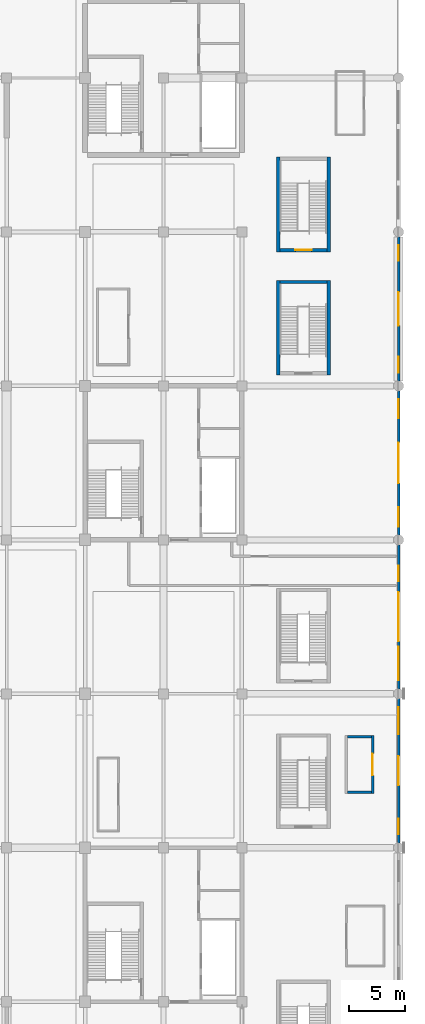
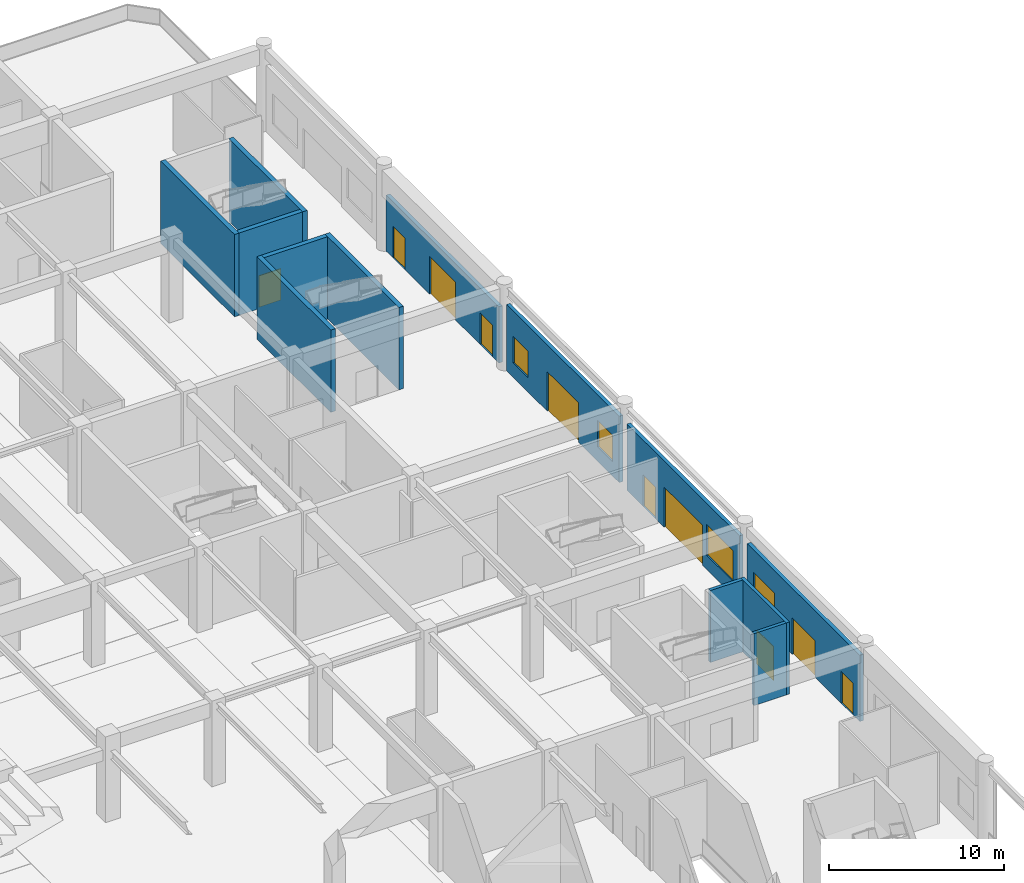
# One storey, part 46 of 73: 13 walls, 10 doors, 4 windows, 14 openings.
"""IFC4 building model written with IfcOpenShell, lengths in metres."""

from ifc_helpers import new_model, si_unit, direction, frame, frame_2d, origin, place, context, subcontext, project, spatial, rectangle, extrude, material, layer, layer_set, type_object, element, fill, save


model = new_model("IFC4")

# Units and contexts
model_context = context("Model", 3, precision=1e-05, world=origin(), true_north=direction((0.0, 1.0)))
body_context = subcontext(model_context, "Body", "Model", "MODEL_VIEW")
ifc_project = project(units=[si_unit("LENGTHUNIT", "METRE"), si_unit("AREAUNIT", "SQUARE_METRE"), si_unit("VOLUMEUNIT", "CUBIC_METRE"), si_unit("PLANEANGLEUNIT", "RADIAN"), si_unit("MASSUNIT", "GRAM", prefix="KILO")], contexts=[model_context])

# Site, building, storey
site_placement = place(None, origin())
site = spatial("IfcSite", under=ifc_project, at=site_placement, CompositionType="ELEMENT")
building_placement = place(site_placement, origin())
building = spatial("IfcBuilding", under=site, at=building_placement, Name="Linyun Crest Stadium", CompositionType="ELEMENT")
storey_placement = place(building_placement, origin())
storey = spatial("IfcBuildingStorey", under=building, at=storey_placement, Name="L01", CompositionType="ELEMENT", Elevation=0.0)

# Wall, openings, doors, window
ifc_material_1 = material(Name="Precast concrete C40 architectural ribbed panel", Category="concrete")
ifc_layer_1 = layer(ifc_material_1, 0.239990234375)
ifc_layer_set_1 = layer_set([ifc_layer_1], Name="Precast concrete C40 architectural ribbed panel")
wall_type_1 = type_object("IfcWallType", Name="EW01", PredefinedType="SOLIDWALL", material=ifc_layer_set_1)
wall_1_placement = place(storey_placement, frame((98.0, -12.06494140625, 0.0), z_axis=(0.0, 0.0, 1.0), x_axis=(0.0, -1.0, 0.0)))
wall_1 = element("IfcWall", 1, at=wall_1_placement, inside=storey, type_object=wall_type_1, Name="Exterior wall EW01 L01 8", PredefinedType="SOLIDWALL", context=body_context, shape_type="SweptSolid", body=[
    extrude(rectangle(XDim=12.8701171875, YDim=0.239990234375, at=frame_2d((6.43505859375, 0.0))), origin(), (0.0, 0.0, 1.0), 4.625),
])
opening_1_placement = place(wall_1_placement, frame((5.135009765625, 0.0, 0.0)))
opening_1 = element("IfcOpeningElement", 2, at=opening_1_placement, cuts=wall_1, Name="Opening G02", PredefinedType="OPENING", context=body_context, shape_type="SweptSolid", body=[
    extrude(rectangle(XDim=2.60009765625, YDim=2.550048828125, at=frame_2d((1.300048828125, 1.27490234375))), frame((0.0, 0.1298828125, 0.0), z_axis=(0.0, -1.0, 0.0), x_axis=(1.0, 0.0, 0.0)), (0.0, 0.0, 1.0), 0.260009765625),
])
opening_2_placement = place(wall_1_placement, frame((0.75, 0.0, 1.0)))
opening_2 = element("IfcOpeningElement", 3, at=opening_2_placement, cuts=wall_1, Name="Opening WN04", PredefinedType="OPENING", context=body_context, shape_type="SweptSolid", body=[
    extrude(rectangle(XDim=2.39990234375, YDim=2.050048828125, at=frame_2d((1.199951171875, 1.02490234375))), frame((0.0, 0.1298828125, 0.0), z_axis=(0.0, -1.0, 0.0), x_axis=(1.0, 0.0, 0.0)), (0.0, 0.0, 1.0), 0.260009765625),
])
opening_3_placement = place(wall_1_placement, frame((10.719970703125, 0.0, 0.0)))
opening_3 = element("IfcOpeningElement", 4, at=opening_3_placement, cuts=wall_1, Name="Opening E-ST19", PredefinedType="OPENING", context=body_context, shape_type="SweptSolid", body=[
    extrude(rectangle(XDim=1.39990234375, YDim=2.199951171875, at=frame_2d((0.699951171875, 1.10009765625))), frame((0.0, 0.1298828125, 0.0), z_axis=(0.0, -1.0, 0.0), x_axis=(1.0, 0.0, 0.0)), (0.0, 0.0, 1.0), 0.260009765625),
])
ifc_material_2 = material(Name="Galvanized fire-rated steel leaf", Category="steel")
ifc_layer_2 = layer(ifc_material_2, 0.054931640625)
ifc_layer_set_2 = layer_set([ifc_layer_2], Name="Galvanized fire-rated steel leaf")
door_type_1 = type_object("IfcDoorType", Name="FD09", OperationType="NOTDEFINED", PredefinedType="DOOR", material=ifc_layer_set_2)
door_1_placement = place(opening_3_placement, origin())
door_1 = element("IfcDoor", 5, at=door_1_placement, inside=storey, type_object=door_type_1, Name="Stair discharge exit E-ST19", OperationType="SINGLE_SWING_RIGHT", OverallHeight=2.199951171875, OverallWidth=1.39990234375, PredefinedType="DOOR", context=body_context, shape_type="SweptSolid", body=[
    extrude(rectangle(XDim=1.39990234375, YDim=2.199951171875, at=frame_2d((0.699951171875, 1.10009765625))), frame((0.0, 0.02490234375, 0.0), z_axis=(0.0, -1.0, 0.0), x_axis=(1.0, 0.0, 0.0)), (0.0, 0.0, 1.0), 0.050048828125),
])
fill(opening_3, door_1)
ifc_material_3 = material(Name="Verdigris painted steel botanical gate", Category="steel")
ifc_layer_3 = layer(ifc_material_3, 0.054931640625)
ifc_layer_set_3 = layer_set([ifc_layer_3], Name="Verdigris painted steel botanical gate")
door_type_2 = type_object("IfcDoorType", Name="GD02", OperationType="NOTDEFINED", PredefinedType="DOOR", material=ifc_layer_set_3)
door_2_placement = place(opening_1_placement, origin())
door_2 = element("IfcDoor", 6, at=door_2_placement, inside=storey, type_object=door_type_2, Name="Pedestrian exit gate G02", OperationType="DOUBLE_DOOR_SINGLE_SWING", OverallHeight=2.550048828125, OverallWidth=2.60009765625, PredefinedType="DOOR", context=body_context, shape_type="SweptSolid", body=[
    extrude(rectangle(XDim=2.60009765625, YDim=2.550048828125, at=frame_2d((1.300048828125, 1.27490234375))), frame((0.0, 0.02490234375, 0.0), z_axis=(0.0, -1.0, 0.0), x_axis=(1.0, 0.0, 0.0)), (0.0, 0.0, 1.0), 0.050048828125),
])
fill(opening_1, door_2)
ifc_material_4 = material(Name="Aluminium frame with double low-E glazing", Category="aluminium")
ifc_layer_4 = layer(ifc_material_4, 0.06005859375)
ifc_layer_set_4 = layer_set([ifc_layer_4], Name="Aluminium frame with double low-E glazing")
window_type_1 = type_object("IfcWindowType", Name="WN04", PartitioningType="SINGLE_PANEL", PredefinedType="WINDOW", material=ifc_layer_set_4)
window_1_placement = place(opening_2_placement, origin())
window_1 = element("IfcWindow", 7, at=window_1_placement, inside=storey, type_object=window_type_1, Name="Window WN04 L01 10", OverallHeight=2.050048828125, OverallWidth=2.39990234375, PartitioningType="SINGLE_PANEL", PredefinedType="WINDOW", context=body_context, shape_type="SweptSolid", body=[
    extrude(rectangle(XDim=2.39990234375, YDim=2.050048828125, at=frame_2d((1.199951171875, 1.02490234375))), frame((0.0, 0.030029296875, 0.0), z_axis=(0.0, -1.0, 0.0), x_axis=(1.0, 0.0, 0.0)), (0.0, 0.0, 1.0), 0.06005859375),
])
fill(opening_2, window_1)

wall_2_placement = place(storey_placement, frame((98.0, 1.68505859375, 0.0), z_axis=(0.0, 0.0, 1.0), x_axis=(0.0, -1.0, 0.0)))
wall_2 = element("IfcWall", 8, at=wall_2_placement, inside=storey, type_object=wall_type_1, Name="Exterior wall EW01 L01 12", PredefinedType="SOLIDWALL", context=body_context, shape_type="SweptSolid", body=[
    extrude(rectangle(XDim=12.8701171875, YDim=0.239990234375, at=frame_2d((6.43505859375, 0.0))), origin(), (0.0, 0.0, 1.0), 4.625),
])
opening_4_placement = place(wall_2_placement, frame((4.235107421875, 0.0, 0.0)))
opening_4 = element("IfcOpeningElement", 9, at=opening_4_placement, cuts=wall_2, Name="Opening E04", PredefinedType="OPENING", context=body_context, shape_type="SweptSolid", body=[
    extrude(rectangle(XDim=4.39990234375, YDim=2.800048828125, at=frame_2d((2.199951171875, 1.39990234375))), frame((0.0, 0.1298828125, 0.0), z_axis=(0.0, -1.0, 0.0), x_axis=(1.0, 0.0, 0.0)), (0.0, 0.0, 1.0), 0.260009765625),
])
opening_5_placement = place(wall_2_placement, frame((1.8701171875, 0.0, 0.0)))
opening_5 = element("IfcOpeningElement", 10, at=opening_5_placement, cuts=wall_2, Name="Opening E-ST05", PredefinedType="OPENING", context=body_context, shape_type="SweptSolid", body=[
    extrude(rectangle(XDim=1.39990234375, YDim=2.199951171875, at=frame_2d((0.699951171875, 1.10009765625))), frame((0.0, 0.1298828125, 0.0), z_axis=(0.0, -1.0, 0.0), x_axis=(1.0, 0.0, 0.0)), (0.0, 0.0, 1.0), 0.260009765625),
])
opening_6_placement = place(wall_2_placement, frame((9.1201171875, 0.0, 1.0)))
opening_6 = element("IfcOpeningElement", 11, at=opening_6_placement, cuts=wall_2, Name="Opening WN06", PredefinedType="OPENING", context=body_context, shape_type="SweptSolid", body=[
    extrude(rectangle(XDim=3.0, YDim=2.14990234375, at=frame_2d((1.5, 1.074951171875))), frame((0.0, 0.1298828125, 0.0), z_axis=(0.0, -1.0, 0.0), x_axis=(1.0, 0.0, 0.0)), (0.0, 0.0, 1.0), 0.260009765625),
])
ifc_material_5 = material(Name="Verdigris painted steel and laminated glass", Category="steel")
ifc_layer_5 = layer(ifc_material_5, 0.06494140625)
ifc_layer_set_5 = layer_set([ifc_layer_5], Name="Verdigris painted steel and laminated glass")
door_type_3 = type_object("IfcDoorType", Name="ED04", OperationType="NOTDEFINED", PredefinedType="DOOR", material=ifc_layer_set_5)
door_3_placement = place(opening_4_placement, origin())
door_3 = element("IfcDoor", 12, at=door_3_placement, inside=storey, type_object=door_type_3, Name="Main entrance E04", OperationType="DOUBLE_DOOR_SINGLE_SWING", OverallHeight=2.800048828125, OverallWidth=4.39990234375, PredefinedType="DOOR", context=body_context, shape_type="SweptSolid", body=[
    extrude(rectangle(XDim=4.39990234375, YDim=2.800048828125, at=frame_2d((2.199951171875, 1.39990234375))), frame((0.0, 0.02490234375, 0.0), z_axis=(0.0, -1.0, 0.0), x_axis=(1.0, 0.0, 0.0)), (0.0, 0.0, 1.0), 0.050048828125),
])
fill(opening_4, door_3)
door_4_placement = place(opening_5_placement, origin())
door_4 = element("IfcDoor", 13, at=door_4_placement, inside=storey, type_object=door_type_1, Name="Stair discharge exit E-ST05", OperationType="SINGLE_SWING_LEFT", OverallHeight=2.199951171875, OverallWidth=1.39990234375, PredefinedType="DOOR", context=body_context, shape_type="SweptSolid", body=[
    extrude(rectangle(XDim=1.39990234375, YDim=2.199951171875, at=frame_2d((0.699951171875, 1.10009765625))), frame((0.0, 0.02490234375, 0.0), z_axis=(0.0, -1.0, 0.0), x_axis=(1.0, 0.0, 0.0)), (0.0, 0.0, 1.0), 0.050048828125),
])
fill(opening_5, door_4)
ifc_material_6 = material(Name="Verdigris steel Art Nouveau arched window", Category="steel")
ifc_layer_6 = layer(ifc_material_6, 0.06494140625)
ifc_layer_set_6 = layer_set([ifc_layer_6], Name="Verdigris steel Art Nouveau arched window")
window_type_2 = type_object("IfcWindowType", Name="WN06", PartitioningType="SINGLE_PANEL", PredefinedType="WINDOW", material=ifc_layer_set_6)
window_2_placement = place(opening_6_placement, origin())
window_2 = element("IfcWindow", 14, at=window_2_placement, inside=storey, type_object=window_type_2, Name="Window WN06 L01 14", OverallHeight=2.14990234375, OverallWidth=3.0, PartitioningType="SINGLE_PANEL", PredefinedType="WINDOW", context=body_context, shape_type="SweptSolid", body=[
    extrude(rectangle(XDim=3.0, YDim=2.14990234375, at=frame_2d((1.5, 1.074951171875))), frame((0.0, 0.030029296875, 0.0), z_axis=(0.0, -1.0, 0.0), x_axis=(1.0, 0.0, 0.0)), (0.0, 0.0, 1.0), 0.06005859375),
])
fill(opening_6, window_2)

# Wall, openings, door, windows
wall_3_placement = place(storey_placement, frame((98.0, 15.43505859375, 0.0), z_axis=(0.0, 0.0, 1.0), x_axis=(0.0, -1.0, 0.0)))
wall_3 = element("IfcWall", 15, at=wall_3_placement, inside=storey, type_object=wall_type_1, Name="Exterior wall EW01 L01 16", PredefinedType="SOLIDWALL", context=body_context, shape_type="SweptSolid", body=[
    extrude(rectangle(XDim=12.8701171875, YDim=0.239990234375, at=frame_2d((6.43505859375, 0.0))), origin(), (0.0, 0.0, 1.0), 4.625),
])
opening_7_placement = place(wall_3_placement, frame((4.635009765625, 0.0, 0.0)))
opening_7 = element("IfcOpeningElement", 16, at=opening_7_placement, cuts=wall_3, Name="Opening E06", PredefinedType="OPENING", context=body_context, shape_type="SweptSolid", body=[
    extrude(rectangle(XDim=3.60009765625, YDim=2.75, at=frame_2d((1.800048828125, 1.375))), frame((0.0, 0.1298828125, 0.0), z_axis=(0.0, -1.0, 0.0), x_axis=(1.0, 0.0, 0.0)), (0.0, 0.0, 1.0), 0.260009765625),
])
opening_8_placement = place(wall_3_placement, frame((0.75, 0.0, 1.0)))
opening_8 = element("IfcOpeningElement", 17, at=opening_8_placement, cuts=wall_3, Name="Opening WN14", PredefinedType="OPENING", context=body_context, shape_type="SweptSolid", body=[
    extrude(rectangle(XDim=1.699951171875, YDim=1.85009765625, at=frame_2d((0.85009765625, 0.925048828125))), frame((0.0, 0.1298828125, 0.0), z_axis=(0.0, -1.0, 0.0), x_axis=(1.0, 0.0, 0.0)), (0.0, 0.0, 1.0), 0.260009765625),
])
opening_9_placement = place(wall_3_placement, frame((10.419921875, 0.0, 1.0)))
opening_9 = element("IfcOpeningElement", 18, at=opening_9_placement, cuts=wall_3, Name="Opening WN14", PredefinedType="OPENING", context=body_context, shape_type="SweptSolid", body=[
    extrude(rectangle(XDim=1.699951171875, YDim=1.85009765625, at=frame_2d((0.85009765625, 0.925048828125))), frame((0.0, 0.1298828125, 0.0), z_axis=(0.0, -1.0, 0.0), x_axis=(1.0, 0.0, 0.0)), (0.0, 0.0, 1.0), 0.260009765625),
])
ifc_material_7 = material(Name="Verdigris painted steel and laminated glass", Category="steel")
ifc_layer_7 = layer(ifc_material_7, 0.06005859375)
ifc_layer_set_7 = layer_set([ifc_layer_7], Name="Verdigris painted steel and laminated glass")
door_type_4 = type_object("IfcDoorType", Name="ED02", OperationType="NOTDEFINED", PredefinedType="DOOR", material=ifc_layer_set_7)
door_5_placement = place(opening_7_placement, origin())
door_5 = element("IfcDoor", 19, at=door_5_placement, inside=storey, type_object=door_type_4, Name="Main entrance E06", OperationType="DOUBLE_DOOR_SINGLE_SWING", OverallHeight=2.75, OverallWidth=3.60009765625, PredefinedType="DOOR", context=body_context, shape_type="SweptSolid", body=[
    extrude(rectangle(XDim=3.60009765625, YDim=2.75, at=frame_2d((1.800048828125, 1.375))), frame((0.0, 0.02490234375, 0.0), z_axis=(0.0, -1.0, 0.0), x_axis=(1.0, 0.0, 0.0)), (0.0, 0.0, 1.0), 0.050048828125),
])
fill(opening_7, door_5)
ifc_material_8 = material(Name="Concourse arched sidelight")
ifc_layer_8 = layer(ifc_material_8, 0.06005859375)
ifc_layer_set_8 = layer_set([ifc_layer_8], Name="Concourse arched sidelight")
window_type_3 = type_object("IfcWindowType", Name="WN14", PartitioningType="SINGLE_PANEL", PredefinedType="WINDOW", material=ifc_layer_set_8)
window_3_placement = place(opening_8_placement, origin())
window_3 = element("IfcWindow", 20, at=window_3_placement, inside=storey, type_object=window_type_3, Name="Window WN14 L01 19", OverallHeight=1.85009765625, OverallWidth=1.699951171875, PartitioningType="SINGLE_PANEL", PredefinedType="WINDOW", context=body_context, shape_type="SweptSolid", body=[
    extrude(rectangle(XDim=1.699951171875, YDim=1.85009765625, at=frame_2d((0.85009765625, 0.925048828125))), frame((0.0, 0.030029296875, 0.0), z_axis=(0.0, -1.0, 0.0), x_axis=(1.0, 0.0, 0.0)), (0.0, 0.0, 1.0), 0.06005859375),
])
fill(opening_8, window_3)
window_4_placement = place(opening_9_placement, origin())
window_4 = element("IfcWindow", 21, at=window_4_placement, inside=storey, type_object=window_type_3, Name="Window WN14 L01 20", OverallHeight=1.85009765625, OverallWidth=1.699951171875, PartitioningType="SINGLE_PANEL", PredefinedType="WINDOW", context=body_context, shape_type="SweptSolid", body=[
    extrude(rectangle(XDim=1.699951171875, YDim=1.85009765625, at=frame_2d((0.85009765625, 0.925048828125))), frame((0.0, 0.030029296875, 0.0), z_axis=(0.0, -1.0, 0.0), x_axis=(1.0, 0.0, 0.0)), (0.0, 0.0, 1.0), 0.06005859375),
])
fill(opening_9, window_4)

# Wall, openings, doors
wall_4_placement = place(storey_placement, frame((98.0, 29.18505859375, 0.0), z_axis=(0.0, 0.0, 1.0), x_axis=(0.0, -1.0, 0.0)))
wall_4 = element("IfcWall", 22, at=wall_4_placement, inside=storey, type_object=wall_type_1, Name="Exterior wall EW01 L01 20", PredefinedType="SOLIDWALL", context=body_context, shape_type="SweptSolid", body=[
    extrude(rectangle(XDim=12.8701171875, YDim=0.239990234375, at=frame_2d((6.43505859375, 0.0))), origin(), (0.0, 0.0, 1.0), 3.925048828125),
])
opening_10_placement = place(wall_4_placement, frame((4.93505859375, 0.0, 0.0)))
opening_10 = element("IfcOpeningElement", 23, at=opening_10_placement, cuts=wall_4, Name="Opening G04", PredefinedType="OPENING", context=body_context, shape_type="SweptSolid", body=[
    extrude(rectangle(XDim=3.0, YDim=2.64990234375, at=frame_2d((1.5, 1.324951171875))), frame((0.0, 0.1298828125, 0.0), z_axis=(0.0, -1.0, 0.0), x_axis=(1.0, 0.0, 0.0)), (0.0, 0.0, 1.0), 0.260009765625),
])
opening_11_placement = place(wall_4_placement, frame((0.75, 0.0, 0.0)))
opening_11 = element("IfcOpeningElement", 24, at=opening_11_placement, cuts=wall_4, Name="Opening E-ST22", PredefinedType="OPENING", context=body_context, shape_type="SweptSolid", body=[
    extrude(rectangle(XDim=1.39990234375, YDim=2.199951171875, at=frame_2d((0.699951171875, 1.10009765625))), frame((0.0, 0.1298828125, 0.0), z_axis=(0.0, -1.0, 0.0), x_axis=(1.0, 0.0, 0.0)), (0.0, 0.0, 1.0), 0.260009765625),
])
opening_12_placement = place(wall_4_placement, frame((10.719970703125, 0.0, 0.0)))
opening_12 = element("IfcOpeningElement", 25, at=opening_12_placement, cuts=wall_4, Name="Opening E-ST21", PredefinedType="OPENING", context=body_context, shape_type="SweptSolid", body=[
    extrude(rectangle(XDim=1.39990234375, YDim=2.199951171875, at=frame_2d((0.699951171875, 1.10009765625))), frame((0.0, 0.1298828125, 0.0), z_axis=(0.0, -1.0, 0.0), x_axis=(1.0, 0.0, 0.0)), (0.0, 0.0, 1.0), 0.260009765625),
])
door_6_placement = place(opening_11_placement, origin())
door_6 = element("IfcDoor", 26, at=door_6_placement, inside=storey, type_object=door_type_1, Name="Stair discharge exit E-ST22", OperationType="SINGLE_SWING_LEFT", OverallHeight=2.199951171875, OverallWidth=1.39990234375, PredefinedType="DOOR", context=body_context, shape_type="SweptSolid", body=[
    extrude(rectangle(XDim=1.39990234375, YDim=2.199951171875, at=frame_2d((0.699951171875, 1.10009765625))), frame((0.0, 0.02490234375, 0.0), z_axis=(0.0, -1.0, 0.0), x_axis=(1.0, 0.0, 0.0)), (0.0, 0.0, 1.0), 0.050048828125),
])
fill(opening_11, door_6)
door_7_placement = place(opening_12_placement, origin())
door_7 = element("IfcDoor", 27, at=door_7_placement, inside=storey, type_object=door_type_1, Name="Stair discharge exit E-ST21", OperationType="SINGLE_SWING_RIGHT", OverallHeight=2.199951171875, OverallWidth=1.39990234375, PredefinedType="DOOR", context=body_context, shape_type="SweptSolid", body=[
    extrude(rectangle(XDim=1.39990234375, YDim=2.199951171875, at=frame_2d((0.699951171875, 1.10009765625))), frame((0.0, 0.02490234375, 0.0), z_axis=(0.0, -1.0, 0.0), x_axis=(1.0, 0.0, 0.0)), (0.0, 0.0, 1.0), 0.050048828125),
])
fill(opening_12, door_7)
ifc_material_9 = material(Name="Verdigris painted steel botanical gate", Category="steel")
ifc_layer_9 = layer(ifc_material_9, 0.06005859375)
ifc_layer_set_9 = layer_set([ifc_layer_9], Name="Verdigris painted steel botanical gate")
door_type_5 = type_object("IfcDoorType", Name="GD04", OperationType="NOTDEFINED", PredefinedType="DOOR", material=ifc_layer_set_9)
door_8_placement = place(opening_10_placement, origin())
door_8 = element("IfcDoor", 28, at=door_8_placement, inside=storey, type_object=door_type_5, Name="Pedestrian exit gate G04", OperationType="DOUBLE_DOOR_SINGLE_SWING", OverallHeight=2.64990234375, OverallWidth=3.0, PredefinedType="DOOR", context=body_context, shape_type="SweptSolid", body=[
    extrude(rectangle(XDim=3.0, YDim=2.64990234375, at=frame_2d((1.5, 1.324951171875))), frame((0.0, 0.02490234375, 0.0), z_axis=(0.0, -1.0, 0.0), x_axis=(1.0, 0.0, 0.0)), (0.0, 0.0, 1.0), 0.050048828125),
])
fill(opening_10, door_8)

# Wall, opening, door
ifc_material_10 = material(Name="Acoustic broadcast studio double-leaf partition")
ifc_layer_10 = layer(ifc_material_10, 0.219970703125)
ifc_layer_set_10 = layer_set([ifc_layer_10], Name="Acoustic broadcast studio double-leaf partition")
wall_type_2 = type_object("IfcWallType", Name="PW16", PredefinedType="PARTITIONING", material=ifc_layer_set_10)
wall_5_placement = place(storey_placement, frame((95.680908203125, -15.35107421875, 0.0), z_axis=(0.0, 0.0, 1.0), x_axis=(0.0, -1.0, 0.0)))
wall_5 = element("IfcWall", 29, at=wall_5_placement, inside=storey, type_object=wall_type_2, Name="Partition PW16 L01 165", PredefinedType="PARTITIONING", context=body_context, shape_type="SweptSolid", body=[
    extrude(rectangle(XDim=5.179931640625, YDim=0.219970703125, at=frame_2d((2.58984375, 0.0))), origin(), (0.0, 0.0, 1.0), 5.02001953125),
])
opening_13_placement = place(wall_5_placement, frame((1.614990234375, 0.0, 0.0)))
opening_13 = element("IfcOpeningElement", 30, at=opening_13_placement, cuts=wall_5, Name="Opening D-L01-428", PredefinedType="OPENING", context=body_context, shape_type="SweptSolid", body=[
    extrude(rectangle(XDim=1.949951171875, YDim=2.35009765625, at=frame_2d((0.97509765625, 1.175048828125))), frame((0.0, 0.119873046875, 0.0), z_axis=(0.0, -1.0, 0.0), x_axis=(1.0, 0.0, 0.0)), (0.0, 0.0, 1.0), 0.239990234375),
])
ifc_material_11 = material(Name="Arched glazed cafe double door")
ifc_layer_11 = layer(ifc_material_11, 0.054931640625)
ifc_layer_set_11 = layer_set([ifc_layer_11], Name="Arched glazed cafe double door")
door_type_6 = type_object("IfcDoorType", Name="ID17", OperationType="NOTDEFINED", PredefinedType="DOOR", material=ifc_layer_set_11)
door_9_placement = place(opening_13_placement, origin())
door_9 = element("IfcDoor", 31, at=door_9_placement, inside=storey, type_object=door_type_6, Name="Door D-L01-428", OperationType="DOUBLE_DOOR_SINGLE_SWING", OverallHeight=2.35009765625, OverallWidth=1.949951171875, PredefinedType="DOOR", context=body_context, shape_type="SweptSolid", body=[
    extrude(rectangle(XDim=1.949951171875, YDim=2.35009765625, at=frame_2d((0.97509765625, 1.175048828125))), frame((0.0, 0.02490234375, 0.0), z_axis=(0.0, -1.0, 0.0), x_axis=(1.0, 0.0, 0.0)), (0.0, 0.0, 1.0), 0.050048828125),
])
fill(opening_13, door_9)

# Walls
for number, where, z_axis, x_axis, name in (
    (32, (93.430908203125, -20.4208984375, 0.0), (0.0, 0.0, 1.0), (1.0, 0.0, 0.0), "Enclosure partition PW16 L01 212"),
    (33, (93.430908203125, -15.4609375, 0.0), (0.0, 0.0, 1.0), (1.0, 0.0, 0.0), "Enclosure partition PW16 L01 213"),
):
    element("IfcWall", number, at=place(storey_placement, frame(where, z_axis=z_axis, x_axis=x_axis)), inside=storey, type_object=wall_type_2, Name=name, PredefinedType="PARTITIONING", context=body_context, shape_type="SweptSolid", body=[
        extrude(rectangle(XDim=2.14013671875, YDim=0.219970703125, at=frame_2d((1.070068359375, 0.0))), origin(), (0.0, 0.0, 1.0), 5.02001953125),
    ])
ifc_material_12 = material(Name="Concrete C50", Category="concrete")
ifc_layer_12 = layer(ifc_material_12, 0.300048828125)
ifc_layer_set_12 = layer_set([ifc_layer_12], Name="Concrete C50")
wall_type_3 = type_object("IfcWallType", Name="SW01", PredefinedType="SHEAR", material=ifc_layer_set_12)
wall_6_placement = place(storey_placement, frame((87.39990234375, 25.14990234375, 0.0), z_axis=(0.0, 0.0, 1.0), x_axis=(1.0, 0.0, 0.0)))
element("IfcWall", 34, at=wall_6_placement, inside=storey, type_object=wall_type_3, Name="Stair shaft wall SW01 STR-21 L01 N", PredefinedType="SHEAR", context=body_context, shape_type="SweptSolid", body=[
    extrude(rectangle(XDim=4.2001953125, YDim=0.300048828125, at=frame_2d((2.10009765625, 0.0))), origin(), (0.0, 0.0, 1.0), 5.75),
])
for number, where, z_axis, x_axis, name in (
    (35, (87.25, 16.85009765625, 0.0), (0.0, 0.0, 1.0), (0.0, 1.0, 0.0), "Stair shaft wall SW01 STR-21 L01 W"),
    (36, (91.75, 16.85009765625, 0.0), (0.0, 0.0, 1.0), (0.0, 1.0, 0.0), "Stair shaft wall SW01 STR-21 L01 E"),
):
    element("IfcWall", number, at=place(storey_placement, frame(where, z_axis=z_axis, x_axis=x_axis)), inside=storey, type_object=wall_type_3, Name=name, PredefinedType="SHEAR", context=body_context, shape_type="SweptSolid", body=[
        extrude(rectangle(XDim=8.449951171875, YDim=0.300048828125, at=frame_2d((4.22509765625, 0.0))), origin(), (0.0, 0.0, 1.0), 5.75),
    ])

# Wall, opening, door
wall_7_placement = place(storey_placement, frame((87.39990234375, 28.0, 0.0), z_axis=(0.0, 0.0, 1.0), x_axis=(1.0, 0.0, 0.0)))
wall_7 = element("IfcWall", 37, at=wall_7_placement, inside=storey, type_object=wall_type_3, Name="Stair shaft wall SW01 STR-22 L01 S", PredefinedType="SHEAR", context=body_context, shape_type="SweptSolid", body=[
    extrude(rectangle(XDim=4.2001953125, YDim=0.300048828125, at=frame_2d((2.10009765625, 0.0))), origin(), (0.0, 0.0, 1.0), 5.75),
])
opening_14_placement = place(wall_7_placement, frame((1.375, 0.0, 0.0)))
opening_14 = element("IfcOpeningElement", 38, at=opening_14_placement, cuts=wall_7, Name="Opening D-L01-589", PredefinedType="OPENING", context=body_context, shape_type="SweptSolid", body=[
    extrude(rectangle(XDim=1.449951171875, YDim=2.199951171875, at=frame_2d((0.72509765625, 1.10009765625))), frame((0.0, 0.159912109375, 0.0), z_axis=(0.0, -1.0, 0.0), x_axis=(1.0, 0.0, 0.0)), (0.0, 0.0, 1.0), 0.320068359375),
])
ifc_material_13 = material(Name="Galvanized steel Class A fire door", Category="steel")
ifc_layer_13 = layer(ifc_material_13, 0.054931640625)
ifc_layer_set_13 = layer_set([ifc_layer_13], Name="Galvanized steel Class A fire door")
door_type_7 = type_object("IfcDoorType", Name="FD02", OperationType="NOTDEFINED", PredefinedType="DOOR", material=ifc_layer_set_13)
door_10_placement = place(opening_14_placement, origin())
door_10 = element("IfcDoor", 39, at=door_10_placement, inside=storey, type_object=door_type_7, Name="Door D-L01-589", OperationType="SINGLE_SWING_LEFT", OverallHeight=2.199951171875, OverallWidth=1.449951171875, PredefinedType="DOOR", context=body_context, shape_type="SweptSolid", body=[
    extrude(rectangle(XDim=1.449951171875, YDim=2.199951171875, at=frame_2d((0.72509765625, 1.10009765625))), frame((0.0, 0.02490234375, 0.0), z_axis=(0.0, -1.0, 0.0), x_axis=(1.0, 0.0, 0.0)), (0.0, 0.0, 1.0), 0.050048828125),
])
fill(opening_14, door_10)

# Walls
for number, where, z_axis, x_axis, name in (
    (40, (87.25, 27.85009765625, 0.0), (0.0, 0.0, 1.0), (0.0, 1.0, 0.0), "Stair shaft wall SW01 STR-22 L01 W"),
    (41, (91.75, 27.85009765625, 0.0), (0.0, 0.0, 1.0), (0.0, 1.0, 0.0), "Stair shaft wall SW01 STR-22 L01 E"),
):
    element("IfcWall", number, at=place(storey_placement, frame(where, z_axis=z_axis, x_axis=x_axis)), inside=storey, type_object=wall_type_3, Name=name, PredefinedType="SHEAR", context=body_context, shape_type="SweptSolid", body=[
        extrude(rectangle(XDim=8.449951171875, YDim=0.300048828125, at=frame_2d((4.22509765625, 0.0))), origin(), (0.0, 0.0, 1.0), 5.75),
    ])

save(model, "model.ifc")
